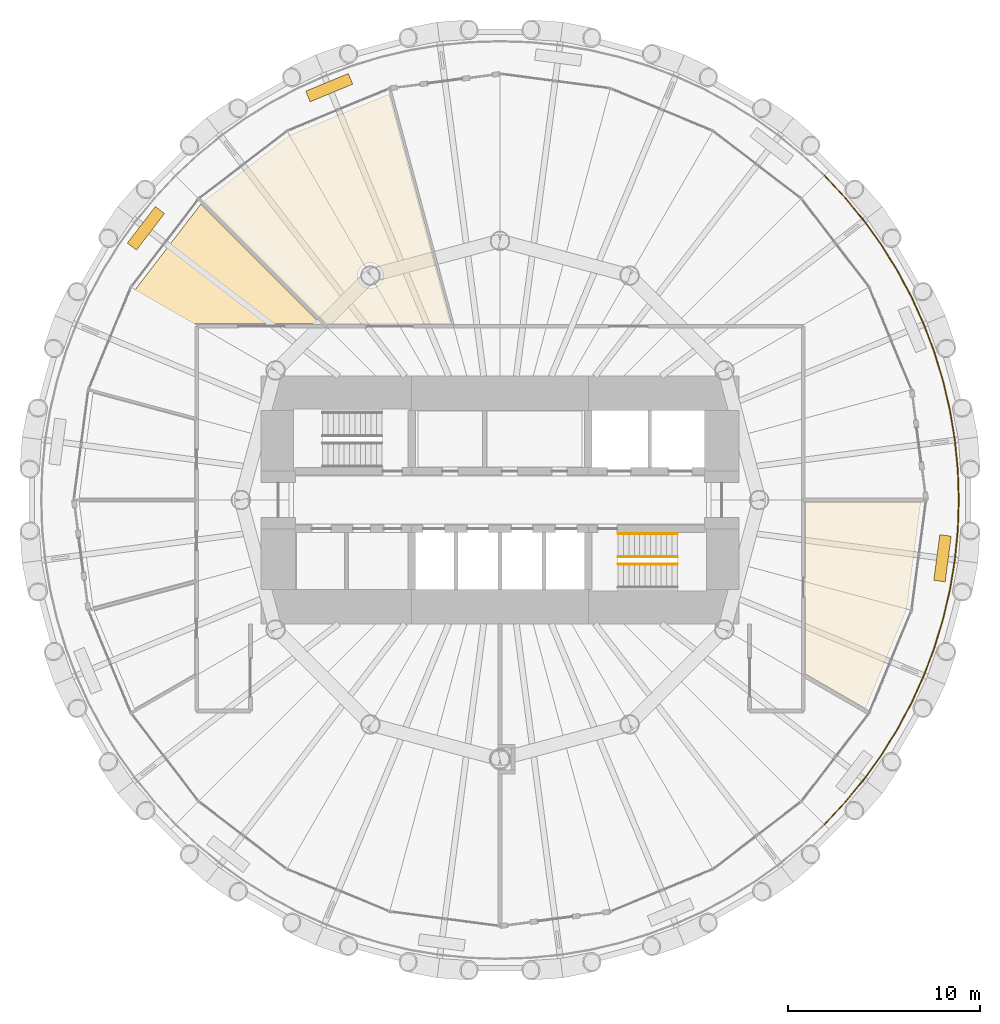
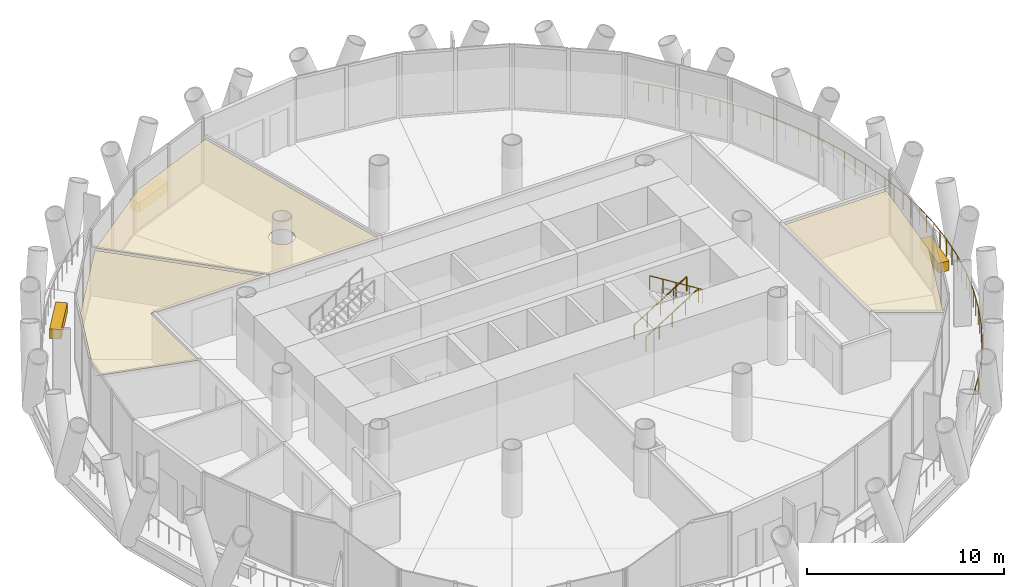
# One storey, part 13 of 14: 6 coverings, 4 railings.
"""IFC4 building model written with IfcOpenShell, lengths in metres."""

from ifc_helpers import new_model, si_unit, direction, frame, origin, origin_2d, place, context, subcontext, project, spatial, polyline, rectangle, circle, outline, extrude, material, layer, layer_set, type_object, element, save


model = new_model("IFC4")

# Units and contexts
model_context = context("Model", 3, precision=1e-05, world=origin(), true_north=direction((0.0, 1.0)))
body_context = subcontext(model_context, "Body", "Model", "MODEL_VIEW")
ifc_project = project(units=[si_unit("LENGTHUNIT", "METRE"), si_unit("AREAUNIT", "SQUARE_METRE"), si_unit("VOLUMEUNIT", "CUBIC_METRE"), si_unit("PLANEANGLEUNIT", "RADIAN"), si_unit("MASSUNIT", "GRAM", prefix="KILO")], contexts=[model_context])

# Site, building, storey
site_placement = place(None, origin())
site = spatial("IfcSite", under=ifc_project, at=site_placement, CompositionType="ELEMENT")
building_placement = place(site_placement, origin())
building = spatial("IfcBuilding", under=site, at=building_placement, Name="Qaws Media Tower", CompositionType="ELEMENT")
storey_placement = place(building_placement, frame((0.0, 0.0, 168.800048828125)))
storey = spatial("IfcBuildingStorey", under=building, at=storey_placement, Name="L38", CompositionType="ELEMENT", Elevation=168.800048828125)

# Coverings
ifc_material_1 = material(Name="40 perforated acoustic panels with mineral wool backing, suspended", Category="mineral fibre")
ifc_layer_1 = layer(ifc_material_1, 0.0400390625)
ifc_layer_set_1 = layer_set([ifc_layer_1], Name="Acoustic panel ceiling 40")
covering_type_1 = type_object("IfcCoveringType", Name="Acoustic panel ceiling 40", PredefinedType="CEILING", material=ifc_layer_set_1)
covering_1_placement = place(storey_placement, frame((0.0, 0.0, 2.849853515625)))
element("IfcCovering", 1, at=covering_1_placement, inside=storey, type_object=covering_type_1, Name="CL3 ceiling L38-03 Training room", PredefinedType="CEILING", context=body_context, shape_type="SweptSolid", body=[
    extrude(outline(polyline([(49.032470703125, 68.99658203125), (54.218017578125, 71.144287109375), (57.428466796875, 59.16259765625), (50.99658203125, 59.16259765625), (44.57958984375, 65.57958984375), (49.032470703125, 68.99658203125)]), holes=[polyline([(53.8671875, 61.435791015625), (53.895263671875, 61.5185546875), (53.912353515625, 61.604248046875), (53.91796875, 61.69140625), (53.912353515625, 61.778564453125), (53.895263671875, 61.8642578125), (53.8671875, 61.947021484375), (53.82861328125, 62.025390625), (53.780029296875, 62.097900390625), (53.722412109375, 62.163818359375), (53.65673828125, 62.22119140625), (53.583984375, 62.269775390625), (53.505615234375, 62.30859375), (53.4228515625, 62.336669921875), (53.337158203125, 62.353515625), (53.25, 62.359375), (53.162841796875, 62.353515625), (53.0771484375, 62.336669921875), (52.994384765625, 62.30859375), (52.916015625, 62.269775390625), (52.84326171875, 62.22119140625), (52.777587890625, 62.163818359375), (52.719970703125, 62.097900390625), (52.67138671875, 62.025390625), (52.6328125, 61.947021484375), (52.604736328125, 61.8642578125), (52.587646484375, 61.778564453125), (52.58203125, 61.69140625), (52.587646484375, 61.604248046875), (52.604736328125, 61.5185546875), (52.6328125, 61.435791015625), (52.67138671875, 61.357421875), (52.719970703125, 61.28466796875), (52.777587890625, 61.218994140625), (52.84326171875, 61.161376953125), (52.916015625, 61.11279296875), (52.994384765625, 61.07421875), (53.0771484375, 61.046142578125), (53.162841796875, 61.029052734375), (53.25, 61.023193359375), (53.337158203125, 61.029052734375), (53.4228515625, 61.046142578125), (53.505615234375, 61.07421875), (53.583984375, 61.11279296875), (53.65673828125, 61.161376953125), (53.722412109375, 61.218994140625), (53.780029296875, 61.28466796875), (53.82861328125, 61.357421875), (53.8671875, 61.435791015625)])]), origin(), (0.0, 0.0, 1.0), 0.0400390625),
])
covering_2_placement = place(storey_placement, frame((0.0, 0.0, 2.849853515625)))
element("IfcCovering", 2, at=covering_2_placement, inside=storey, type_object=covering_type_1, Name="CL3 ceiling L38-04 Training room", PredefinedType="CEILING", context=body_context, shape_type="SweptSolid", body=[
    extrude(outline(polyline([(41.00341796875, 60.967529296875), (44.42041015625, 65.42041015625), (50.678466796875, 59.16259765625), (44.08740234375, 59.16259765625), (44.08740234375, 54.380126953125), (38.855712890625, 55.781982421875), (41.00341796875, 60.967529296875)])), origin(), (0.0, 0.0, 1.0), 0.0400390625),
])

# Railing
ifc_material_2 = material(Name="Stainless steel and glass guard", Category="steel")
railing_type_1 = type_object("IfcRailingType", Name="Balcony guard 1100", PredefinedType="GUARDRAIL", material=ifc_material_2)
railing_1_placement = place(storey_placement, frame((76.89990234375, 33.10009765625, 0.0)))
element("IfcRailing", 3, at=railing_1_placement, inside=storey, type_object=railing_type_1, Name="GR1 balcony guard L38-4", PredefinedType="GUARDRAIL", context=body_context, shape_type="SweptSolid", body=[
    extrude(circle(Radius=0.02392578125, at=origin_2d()), frame((0.0, 0.0, 1.076171875), z_axis=(0.683546406582, 0.729907055761, 0.0), x_axis=(-0.729907055761, 0.683546406582, 0.0)), (0.0, 0.0, 1.0), 1.56396484375),
    extrude(circle(Radius=0.02392578125, at=origin_2d()), frame((1.069091796875, 1.1416015625, 1.076171875), z_axis=(0.63439315617, 0.773010558404, 0.0), x_axis=(-0.773010558404, 0.63439315617, 0.0)), (0.0, 0.0, 1.0), 1.56396484375),
    extrude(circle(Radius=0.02392578125, at=origin_2d()), frame((2.061279296875, 2.3505859375, 1.076171875), z_axis=(0.582448461728, 0.812867633401, 0.0), x_axis=(-0.812867633401, 0.582448461728, 0.0)), (0.0, 0.0, 1.0), 1.56396484375),
    extrude(circle(Radius=0.02392578125, at=origin_2d()), frame((2.97216796875, 3.621826171875, 1.076171875), z_axis=(0.528089308506, 0.849188837799, 0.0), x_axis=(-0.849188837799, 0.528089308506, 0.0)), (0.0, 0.0, 1.0), 1.56396484375),
    extrude(circle(Radius=0.02392578125, at=origin_2d()), frame((3.798095703125, 4.949951171875, 1.076171875), z_axis=(0.471463104369, 0.881885786947, 0.0), x_axis=(-0.881885786947, 0.471463104369, 0.0)), (0.0, 0.0, 1.0), 1.56396484375),
    extrude(circle(Radius=0.02392578125, at=origin_2d()), frame((4.535400390625, 6.3291015625, 1.076171875), z_axis=(0.412732400705, 0.91085232909, 0.0), x_axis=(-0.91085232909, 0.412732400705, 0.0)), (0.0, 0.0, 1.0), 1.56396484375),
    extrude(circle(Radius=0.02392578125, at=origin_2d()), frame((5.180908203125, 7.753662109375, 1.076171875), z_axis=(0.352149606638, 0.935943724026, 0.0), x_axis=(-0.935943724026, 0.352149606638, 0.0)), (0.0, 0.0, 1.0), 1.56396484375),
    extrude(circle(Radius=0.02392578125, at=origin_2d()), frame((5.731689453125, 9.217529296875, 1.076171875), z_axis=(0.290353982933, 0.956919309344, 0.0), x_axis=(-0.956919309344, 0.290353982933, 0.0)), (0.0, 0.0, 1.0), 1.56396484375),
    extrude(circle(Radius=0.02392578125, at=origin_2d()), frame((6.185791015625, 10.714111328125, 1.076171875), z_axis=(0.226968071535, 0.973902199661, 0.0), x_axis=(-0.973902199661, 0.226968071535, 0.0)), (0.0, 0.0, 1.0), 1.56396484375),
    extrude(circle(Radius=0.02392578125, at=origin_2d()), frame((6.540771484375, 12.2373046875, 1.076171875), z_axis=(0.162981149854, 0.986629183023, 0.0), x_axis=(-0.986629183023, 0.162981149854, 0.0)), (0.0, 0.0, 1.0), 1.56396484375),
    extrude(circle(Radius=0.02392578125, at=origin_2d()), frame((6.795654296875, 13.7802734375, 1.076171875), z_axis=(0.098035276312, 0.995182940267, 0.0), x_axis=(-0.995182940267, 0.098035276312, 0.0)), (0.0, 0.0, 1.0), 1.56396484375),
    extrude(circle(Radius=0.02392578125, at=origin_2d()), frame((6.948974609375, 15.336669921875, 1.076171875), z_axis=(0.032623575088, 0.999467709508, 0.0), x_axis=(-0.999467709508, 0.032623575088, 0.0)), (0.0, 0.0, 1.0), 1.56396484375),
    extrude(circle(Radius=0.02392578125, at=origin_2d()), frame((7.0, 16.89990234375, 1.076171875), z_axis=(-0.032623575088, 0.999467709508, 0.0), x_axis=(-0.999467709508, -0.032623575088, 0.0)), (0.0, 0.0, 1.0), 1.56396484375),
    extrude(circle(Radius=0.02392578125, at=origin_2d()), frame((6.948974609375, 18.463134765625, 1.076171875), z_axis=(-0.098035276312, 0.995182940267, 0.0), x_axis=(-0.995182940267, -0.098035276312, 0.0)), (0.0, 0.0, 1.0), 1.56396484375),
    extrude(circle(Radius=0.02392578125, at=origin_2d()), frame((6.795654296875, 20.01953125, 1.076171875), z_axis=(-0.162981149854, 0.986629183023, 0.0), x_axis=(-0.986629183023, -0.162981149854, 0.0)), (0.0, 0.0, 1.0), 1.56396484375),
    extrude(circle(Radius=0.02392578125, at=origin_2d()), frame((6.540771484375, 21.5625, 1.076171875), z_axis=(-0.226968071535, 0.973902199661, 0.0), x_axis=(-0.973902199661, -0.226968071535, 0.0)), (0.0, 0.0, 1.0), 1.56396484375),
    extrude(circle(Radius=0.02392578125, at=origin_2d()), frame((6.185791015625, 23.085693359375, 1.076171875), z_axis=(-0.290353982933, 0.956919309344, 0.0), x_axis=(-0.956919309344, -0.290353982933, 0.0)), (0.0, 0.0, 1.0), 1.56396484375),
    extrude(circle(Radius=0.02392578125, at=origin_2d()), frame((5.731689453125, 24.582275390625, 1.076171875), z_axis=(-0.352149606638, 0.935943724026, 0.0), x_axis=(-0.935943724026, -0.352149606638, 0.0)), (0.0, 0.0, 1.0), 1.56396484375),
    extrude(circle(Radius=0.02392578125, at=origin_2d()), frame((5.180908203125, 26.046142578125, 1.076171875), z_axis=(-0.412732400705, 0.91085232909, 0.0), x_axis=(-0.91085232909, -0.412732400705, 0.0)), (0.0, 0.0, 1.0), 1.56396484375),
    extrude(circle(Radius=0.02392578125, at=origin_2d()), frame((4.535400390625, 27.470703125, 1.076171875), z_axis=(-0.471463104369, 0.881885786947, 0.0), x_axis=(-0.881885786947, -0.471463104369, 0.0)), (0.0, 0.0, 1.0), 1.56396484375),
    extrude(circle(Radius=0.02392578125, at=origin_2d()), frame((3.798095703125, 28.849853515625, 1.076171875), z_axis=(-0.528089308506, 0.849188837799, 0.0), x_axis=(-0.849188837799, -0.528089308506, 0.0)), (0.0, 0.0, 1.0), 1.56396484375),
    extrude(circle(Radius=0.02392578125, at=origin_2d()), frame((2.97216796875, 30.177978515625, 1.076171875), z_axis=(-0.582448461728, 0.812867633401, 0.0), x_axis=(-0.812867633401, -0.582448461728, 0.0)), (0.0, 0.0, 1.0), 1.56396484375),
    extrude(circle(Radius=0.02392578125, at=origin_2d()), frame((2.061279296875, 31.44921875, 1.076171875), z_axis=(-0.63439315617, 0.773010558404, 0.0), x_axis=(-0.773010558404, -0.63439315617, 0.0)), (0.0, 0.0, 1.0), 1.56396484375),
    extrude(circle(Radius=0.02392578125, at=origin_2d()), frame((1.069091796875, 32.658203125, 1.076171875), z_axis=(-0.683546406582, 0.729907055761, 0.0), x_axis=(-0.729907055761, -0.683546406582, 0.0)), (0.0, 0.0, 1.0), 1.56396484375),
    extrude(circle(Radius=0.02099609375, at=origin_2d()), origin(), (0.0, 0.0, 1.0), 1.052001953125),
    extrude(circle(Radius=0.02099609375, at=origin_2d()), frame((0.53466796875, 0.57080078125, 0.0)), (0.0, 0.0, 1.0), 1.052001953125),
    extrude(circle(Radius=0.02099609375, at=origin_2d()), frame((1.069091796875, 1.1416015625, 0.0)), (0.0, 0.0, 1.0), 1.052001953125),
    extrude(circle(Radius=0.02099609375, at=origin_2d()), frame((1.565185546875, 1.74609375, 0.0)), (0.0, 0.0, 1.0), 1.052001953125),
    extrude(circle(Radius=0.02099609375, at=origin_2d()), frame((2.061279296875, 2.3505859375, 0.0)), (0.0, 0.0, 1.0), 1.052001953125),
    extrude(circle(Radius=0.02099609375, at=origin_2d()), frame((2.5166015625, 2.986328125, 0.0)), (0.0, 0.0, 1.0), 1.052001953125),
    extrude(circle(Radius=0.02099609375, at=origin_2d()), frame((2.97216796875, 3.621826171875, 0.0)), (0.0, 0.0, 1.0), 1.052001953125),
    extrude(circle(Radius=0.02099609375, at=origin_2d()), frame((3.38525390625, 4.285888671875, 0.0)), (0.0, 0.0, 1.0), 1.052001953125),
    extrude(circle(Radius=0.02099609375, at=origin_2d()), frame((3.798095703125, 4.949951171875, 0.0)), (0.0, 0.0, 1.0), 1.052001953125),
    extrude(circle(Radius=0.02099609375, at=origin_2d()), frame((4.166748046875, 5.6396484375, 0.0)), (0.0, 0.0, 1.0), 1.052001953125),
    extrude(circle(Radius=0.02099609375, at=origin_2d()), frame((4.535400390625, 6.3291015625, 0.0)), (0.0, 0.0, 1.0), 1.052001953125),
    extrude(circle(Radius=0.02099609375, at=origin_2d()), frame((4.858154296875, 7.04150390625, 0.0)), (0.0, 0.0, 1.0), 1.052001953125),
    extrude(circle(Radius=0.02099609375, at=origin_2d()), frame((5.180908203125, 7.753662109375, 0.0)), (0.0, 0.0, 1.0), 1.052001953125),
    extrude(circle(Radius=0.02099609375, at=origin_2d()), frame((5.456298828125, 8.485595703125, 0.0)), (0.0, 0.0, 1.0), 1.052001953125),
    extrude(circle(Radius=0.02099609375, at=origin_2d()), frame((5.731689453125, 9.217529296875, 0.0)), (0.0, 0.0, 1.0), 1.052001953125),
    extrude(circle(Radius=0.02099609375, at=origin_2d()), frame((5.958740234375, 9.9658203125, 0.0)), (0.0, 0.0, 1.0), 1.052001953125),
    extrude(circle(Radius=0.02099609375, at=origin_2d()), frame((6.185791015625, 10.714111328125, 0.0)), (0.0, 0.0, 1.0), 1.052001953125),
    extrude(circle(Radius=0.02099609375, at=origin_2d()), frame((6.36328125, 11.4755859375, 0.0)), (0.0, 0.0, 1.0), 1.052001953125),
    extrude(circle(Radius=0.02099609375, at=origin_2d()), frame((6.540771484375, 12.2373046875, 0.0)), (0.0, 0.0, 1.0), 1.052001953125),
    extrude(circle(Radius=0.02099609375, at=origin_2d()), frame((6.668212890625, 13.0087890625, 0.0)), (0.0, 0.0, 1.0), 1.052001953125),
    extrude(circle(Radius=0.02099609375, at=origin_2d()), frame((6.795654296875, 13.7802734375, 0.0)), (0.0, 0.0, 1.0), 1.052001953125),
    extrude(circle(Radius=0.02099609375, at=origin_2d()), frame((6.872314453125, 14.55859375, 0.0)), (0.0, 0.0, 1.0), 1.052001953125),
    extrude(circle(Radius=0.02099609375, at=origin_2d()), frame((6.948974609375, 15.336669921875, 0.0)), (0.0, 0.0, 1.0), 1.052001953125),
    extrude(circle(Radius=0.02099609375, at=origin_2d()), frame((6.974609375, 16.1181640625, 0.0)), (0.0, 0.0, 1.0), 1.052001953125),
    extrude(circle(Radius=0.02099609375, at=origin_2d()), frame((7.0, 16.89990234375, 0.0)), (0.0, 0.0, 1.0), 1.052001953125),
    extrude(circle(Radius=0.02099609375, at=origin_2d()), frame((6.974609375, 17.681640625, 0.0)), (0.0, 0.0, 1.0), 1.052001953125),
    extrude(circle(Radius=0.02099609375, at=origin_2d()), frame((6.948974609375, 18.463134765625, 0.0)), (0.0, 0.0, 1.0), 1.052001953125),
    extrude(circle(Radius=0.02099609375, at=origin_2d()), frame((6.872314453125, 19.2412109375, 0.0)), (0.0, 0.0, 1.0), 1.052001953125),
    extrude(circle(Radius=0.02099609375, at=origin_2d()), frame((6.795654296875, 20.01953125, 0.0)), (0.0, 0.0, 1.0), 1.052001953125),
    extrude(circle(Radius=0.02099609375, at=origin_2d()), frame((6.668212890625, 20.791015625, 0.0)), (0.0, 0.0, 1.0), 1.052001953125),
    extrude(circle(Radius=0.02099609375, at=origin_2d()), frame((6.540771484375, 21.5625, 0.0)), (0.0, 0.0, 1.0), 1.052001953125),
    extrude(circle(Radius=0.02099609375, at=origin_2d()), frame((6.36328125, 22.32421875, 0.0)), (0.0, 0.0, 1.0), 1.052001953125),
    extrude(circle(Radius=0.02099609375, at=origin_2d()), frame((6.185791015625, 23.085693359375, 0.0)), (0.0, 0.0, 1.0), 1.052001953125),
    extrude(circle(Radius=0.02099609375, at=origin_2d()), frame((5.958740234375, 23.833984375, 0.0)), (0.0, 0.0, 1.0), 1.052001953125),
    extrude(circle(Radius=0.02099609375, at=origin_2d()), frame((5.731689453125, 24.582275390625, 0.0)), (0.0, 0.0, 1.0), 1.052001953125),
    extrude(circle(Radius=0.02099609375, at=origin_2d()), frame((5.456298828125, 25.314208984375, 0.0)), (0.0, 0.0, 1.0), 1.052001953125),
    extrude(circle(Radius=0.02099609375, at=origin_2d()), frame((5.180908203125, 26.046142578125, 0.0)), (0.0, 0.0, 1.0), 1.052001953125),
    extrude(circle(Radius=0.02099609375, at=origin_2d()), frame((4.858154296875, 26.75830078125, 0.0)), (0.0, 0.0, 1.0), 1.052001953125),
    extrude(circle(Radius=0.02099609375, at=origin_2d()), frame((4.535400390625, 27.470703125, 0.0)), (0.0, 0.0, 1.0), 1.052001953125),
    extrude(circle(Radius=0.02099609375, at=origin_2d()), frame((4.166748046875, 28.16015625, 0.0)), (0.0, 0.0, 1.0), 1.052001953125),
    extrude(circle(Radius=0.02099609375, at=origin_2d()), frame((3.798095703125, 28.849853515625, 0.0)), (0.0, 0.0, 1.0), 1.052001953125),
    extrude(circle(Radius=0.02099609375, at=origin_2d()), frame((3.38525390625, 29.513916015625, 0.0)), (0.0, 0.0, 1.0), 1.052001953125),
    extrude(circle(Radius=0.02099609375, at=origin_2d()), frame((2.97216796875, 30.177978515625, 0.0)), (0.0, 0.0, 1.0), 1.052001953125),
    extrude(circle(Radius=0.02099609375, at=origin_2d()), frame((2.5166015625, 30.8134765625, 0.0)), (0.0, 0.0, 1.0), 1.052001953125),
    extrude(circle(Radius=0.02099609375, at=origin_2d()), frame((2.061279296875, 31.44921875, 0.0)), (0.0, 0.0, 1.0), 1.052001953125),
    extrude(circle(Radius=0.02099609375, at=origin_2d()), frame((1.565185546875, 32.0537109375, 0.0)), (0.0, 0.0, 1.0), 1.052001953125),
    extrude(circle(Radius=0.02099609375, at=origin_2d()), frame((1.069091796875, 32.658203125, 0.0)), (0.0, 0.0, 1.0), 1.052001953125),
    extrude(circle(Radius=0.02099609375, at=origin_2d()), frame((0.53466796875, 33.22900390625, 0.0)), (0.0, 0.0, 1.0), 1.052001953125),
    extrude(circle(Radius=0.02099609375, at=origin_2d()), frame((0.0, 33.7998046875, 0.0)), (0.0, 0.0, 1.0), 1.052001953125),
])

# Coverings
ifc_material_3 = material(Name="600 x 600 mineral fibre tiles in exposed grid, suspended", Category="mineral fibre")
ifc_layer_2 = layer(ifc_material_3, 0.02001953125)
ifc_layer_set_2 = layer_set([ifc_layer_2], Name="Mineral fibre tile ceiling 20")
covering_type_2 = type_object("IfcCoveringType", Name="Mineral fibre tile ceiling 20", PredefinedType="CEILING", material=ifc_layer_set_2)
covering_3_placement = place(storey_placement, frame((0.0, 0.0, 2.849853515625)))
element("IfcCovering", 4, at=covering_3_placement, inside=storey, type_object=covering_type_2, Name="CL1 ceiling L38-10 HR office", PredefinedType="CEILING", context=body_context, shape_type="SweptSolid", body=[
    extrude(outline(polyline([(81.187744140625, 44.32275390625), (79.039794921875, 39.13720703125), (75.91259765625, 40.94287109375), (75.91259765625, 49.887451171875), (81.92041015625, 49.887451171875), (81.187744140625, 44.32275390625)])), origin(), (0.0, 0.0, 1.0), 0.02001953125),
])
ifc_material_4 = material(Name="Precast concrete planter with trailing planting", Category="concrete")
ifc_layer_3 = layer(ifc_material_4, 0.60009765625)
ifc_layer_set_3 = layer_set([ifc_layer_3], Name="Planter 2400x600")
covering_type_3 = type_object("IfcCoveringType", Name="Planter 2400x600", PredefinedType="USERDEFINED", material=ifc_layer_set_3)
for number, where, z_axis, x_axis, name in (
    (5, (51.1025390625, 71.480224609375, 0.0), (0.0, 0.0, 1.0), (-0.923879532511, -0.382683432365, 0.0), "PL1 balcony planter L38-04"),
    (6, (41.554443359375, 64.15380859375, 0.0), (0.0, 0.0, 1.0), (-0.608761429009, -0.793353340291, 0.0), "PL1 balcony planter L38-05"),
    (7, (83.051025390625, 46.96533203125, 0.0), (0.0, 0.0, 1.0), (0.13052619222, 0.991444861374, 0.0), "PL1 balcony planter L38-12"),
):
    element("IfcCovering", number, at=place(storey_placement, frame(where, z_axis=z_axis, x_axis=x_axis)), inside=storey, type_object=covering_type_3, Name=name, ObjectType="PLANTER", PredefinedType="USERDEFINED", context=body_context, shape_type="SweptSolid", body=[
        extrude(rectangle(XDim=2.39990234375, YDim=0.60009765625, at=origin_2d()), origin(), (0.0, 0.0, 1.0), 0.60009765625),
    ])

# Railings
ifc_material_5 = material(Name="Steel tube handrail", Category="steel")
railing_type_2 = type_object("IfcRailingType", Name="Stair handrail 900", PredefinedType="HANDRAIL", material=ifc_material_5)
for number, where, name in (
    (8, (66.159912109375, 48.25, 0.175048828125), "HR1 handrail S2 flight 1 L38"),
    (9, (66.159912109375, 47.0400390625, 0.175048828125), "HR1 handrail S2 flight 1 L38"),
):
    element("IfcRailing", number, at=place(storey_placement, frame(where)), inside=storey, type_object=railing_type_2, Name=name, PredefinedType="HANDRAIL", context=body_context, shape_type="SweptSolid", body=[
        extrude(circle(Radius=0.02392578125, at=origin_2d()), frame((0.0, 0.0, 0.8759765625), z_axis=(0.848028513186, 0.0, 0.529950602248), x_axis=(0.0, 1.0, 0.0)), (0.0, 0.0, 1.0), 3.632080078125),
        extrude(circle(Radius=0.02099609375, at=origin_2d()), origin(), (0.0, 0.0, 1.0), 0.851806640625),
        extrude(circle(Radius=0.02099609375, at=origin_2d()), frame((0.77001953125, 0.0, 0.481201171875)), (0.0, 0.0, 1.0), 0.851806640625),
        extrude(circle(Radius=0.02099609375, at=origin_2d()), frame((1.5400390625, 0.0, 0.96240234375)), (0.0, 0.0, 1.0), 0.851806640625),
        extrude(circle(Radius=0.02099609375, at=origin_2d()), frame((2.31005859375, 0.0, 1.443603515625)), (0.0, 0.0, 1.0), 0.851806640625),
        extrude(circle(Radius=0.02099609375, at=origin_2d()), frame((3.080078125, 0.0, 1.9248046875)), (0.0, 0.0, 1.0), 0.851806640625),
    ])
railing_2_placement = place(storey_placement, frame((69.239990234375, 46.659912109375, 2.27490234375)))
element("IfcRailing", 10, at=railing_2_placement, inside=storey, type_object=railing_type_2, Name="HR1 handrail S2 flight 2 L38", PredefinedType="HANDRAIL", context=body_context, shape_type="SweptSolid", body=[
    extrude(circle(Radius=0.02392578125, at=origin_2d()), frame((0.0, 0.0, 0.8759765625), z_axis=(-0.847998304005, 0.0, 0.529998940003), x_axis=(0.0, -1.0, 0.0)), (0.0, 0.0, 1.0), 3.632080078125),
    extrude(circle(Radius=0.02099609375, at=origin_2d()), origin(), (0.0, 0.0, 1.0), 0.851806640625),
    extrude(circle(Radius=0.02099609375, at=origin_2d()), frame((-0.77001953125, 0.0, 0.481201171875)), (0.0, 0.0, 1.0), 0.851806640625),
    extrude(circle(Radius=0.02099609375, at=origin_2d()), frame((-1.5400390625, 0.0, 0.96240234375)), (0.0, 0.0, 1.0), 0.851806640625),
    extrude(circle(Radius=0.02099609375, at=origin_2d()), frame((-2.31005859375, 0.0, 1.44384765625)), (0.0, 0.0, 1.0), 0.851806640625),
    extrude(circle(Radius=0.02099609375, at=origin_2d()), frame((-3.080078125, 0.0, 1.925048828125)), (0.0, 0.0, 1.0), 0.851806640625),
])

save(model, "model.ifc")
